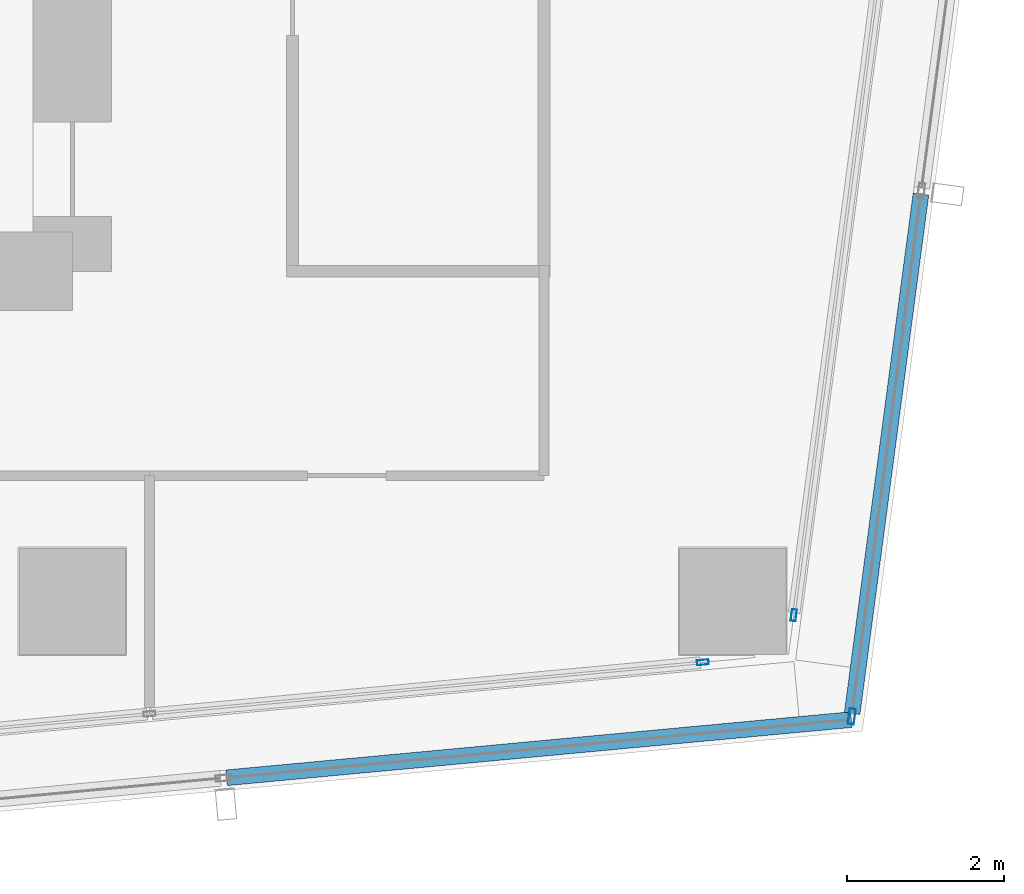
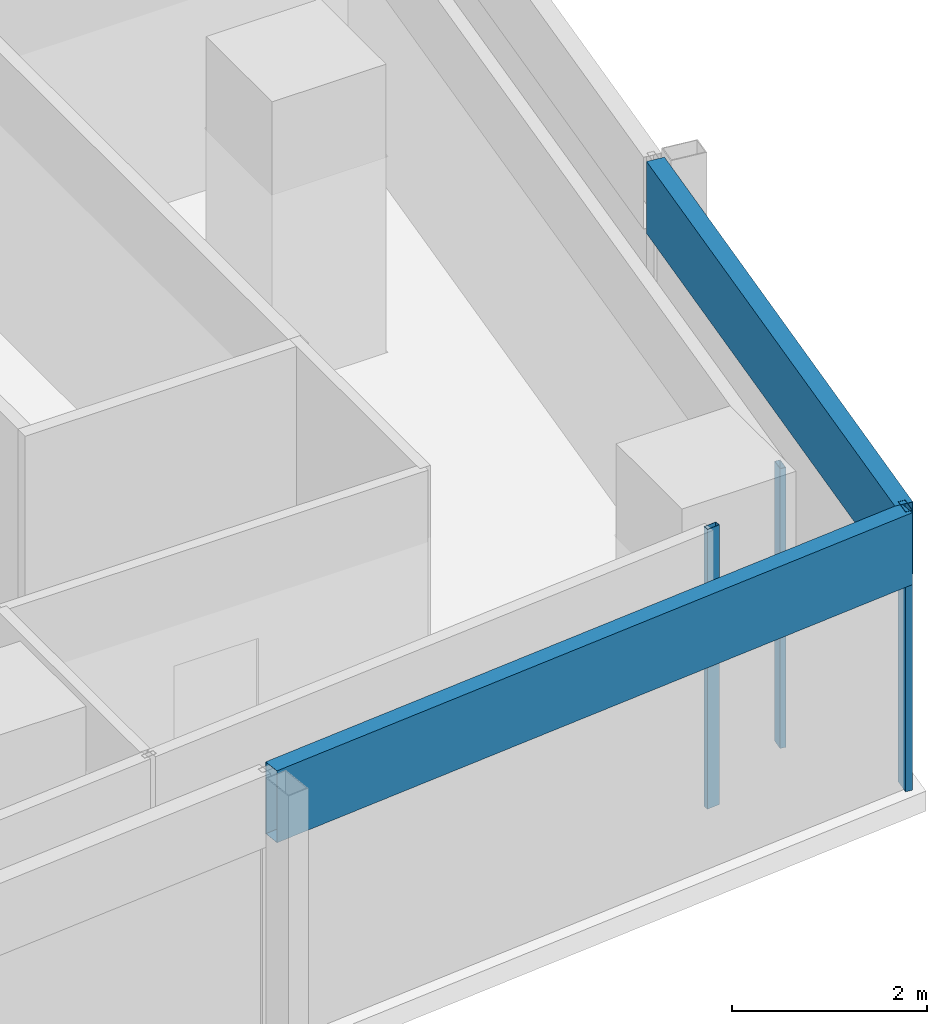
# One storey, part 12 of 39: 5 members, 4 elements without a shape of their own.
"""IFC4 building model written with IfcOpenShell, lengths in metres."""

from ifc_helpers import new_model, si_unit, direction, frame, origin, origin_2d, place, context, subcontext, project, spatial, hollow_rectangle, extrude, material, material_profile, profile_set, type_object, element, aggregate, save


model = new_model("IFC4")

# Units and contexts
model_context = context("Model", 3, precision=1e-05, world=origin(), true_north=direction((0.0, 1.0)))
body_context = subcontext(model_context, "Body", "Model", "MODEL_VIEW")
ifc_project = project(units=[si_unit("LENGTHUNIT", "METRE"), si_unit("AREAUNIT", "SQUARE_METRE"), si_unit("VOLUMEUNIT", "CUBIC_METRE"), si_unit("PLANEANGLEUNIT", "RADIAN"), si_unit("MASSUNIT", "GRAM", prefix="KILO")], contexts=[model_context])

# Site, building, storey
site_placement = place(None, origin())
site = spatial("IfcSite", under=ifc_project, at=site_placement, CompositionType="ELEMENT")
building_placement = place(site_placement, origin())
building = spatial("IfcBuilding", under=site, at=building_placement, Name="Rekha Terrace Tower", CompositionType="ELEMENT")
storey_placement = place(building_placement, frame((0.0, 0.0, 225.199951171875)))
storey = spatial("IfcBuildingStorey", under=building, at=storey_placement, Name="L57", CompositionType="ELEMENT", Elevation=225.199951171875)

# Curtain wall, member
ifc_material_1 = material(Name="Aluminium framing", Category="aluminium")
curtain_wall_type_1 = type_object("IfcCurtainWallType", Name="CW1 double skin inner glazing", PredefinedType="USERDEFINED", material=ifc_material_1)
curtain_wall_1_placement = place(storey_placement, origin())
curtain_wall_1 = element("IfcCurtainWall", 1, at=curtain_wall_1_placement, inside=storey, type_object=curtain_wall_type_1, Name="CW1 double skin inner glazing", ObjectType="DOUBLE SKIN INNER GLAZING", PredefinedType="USERDEFINED")
ifc_material_2 = material(Name="Aluminium mullion section", Category="aluminium")
ifc_material_profile_1 = material_profile(ifc_material_2, hollow_rectangle(XDim=0.06494140625, YDim=0.14990234375, WallThickness=0.00390625, at=origin_2d()), Name="AL RHS 65x150")
ifc_profile_set_1 = profile_set([ifc_material_profile_1], Name="Aluminium mullion section")
member_type_1 = type_object("IfcMemberType", Name="CW1 mullion RHS 65 x 150", PredefinedType="MULLION", material=ifc_profile_set_1)
member_1_placement = place(storey_placement, frame((58.419677734375, 16.025634765625, 0.0), z_axis=(0.0, 0.0, 1.0), x_axis=(-0.092708869564, 0.995693258742, 0.0)))
member_1 = element("IfcMember", 2, at=member_1_placement, type_object=member_type_1, Name="CW1 mullion 3", PredefinedType="MULLION", context=body_context, shape_type="SweptSolid", body=[
    extrude(hollow_rectangle(XDim=0.06494140625, YDim=0.14990234375, WallThickness=0.00390625, at=origin_2d()), origin(), (0.0, 0.0, 1.0), 3.5),
])
aggregate(curtain_wall_1, [member_1])

curtain_wall_2_placement = place(storey_placement, origin())
curtain_wall_2 = element("IfcCurtainWall", 3, at=curtain_wall_2_placement, inside=storey, type_object=curtain_wall_type_1, Name="CW1 double skin inner glazing", ObjectType="DOUBLE SKIN INNER GLAZING", PredefinedType="USERDEFINED")
member_2_placement = place(storey_placement, frame((59.576171875, 16.624755859375, 0.0), z_axis=(0.0, 0.0, 1.0), x_axis=(-0.991342203185, 0.131303603093, 0.0)))
member_2 = element("IfcMember", 4, at=member_2_placement, type_object=member_type_1, Name="CW1 mullion 1", PredefinedType="MULLION", context=body_context, shape_type="SweptSolid", body=[
    extrude(hollow_rectangle(XDim=0.06494140625, YDim=0.14990234375, WallThickness=0.00390625, at=origin_2d()), origin(), (0.0, 0.0, 1.0), 3.5),
])
aggregate(curtain_wall_2, [member_2])

curtain_wall_type_2 = type_object("IfcCurtainWallType", Name="CW2 double skin outer glazing", PredefinedType="USERDEFINED", material=ifc_material_1)
curtain_wall_3_placement = place(storey_placement, origin())
curtain_wall_3 = element("IfcCurtainWall", 5, at=curtain_wall_3_placement, inside=storey, type_object=curtain_wall_type_2, Name="CW2 double skin outer glazing", ObjectType="DOUBLE SKIN OUTER GLAZING", PredefinedType="USERDEFINED")
ifc_material_profile_2 = material_profile(ifc_material_2, hollow_rectangle(XDim=0.080078125, YDim=0.199951171875, WallThickness=0.00390625, at=origin_2d()), Name="AL RHS 80x200")
ifc_profile_set_2 = profile_set([ifc_material_profile_2], Name="Aluminium mullion section")
member_type_2 = type_object("IfcMemberType", Name="CW2 mullion RHS 80 x 200", PredefinedType="MULLION", material=ifc_profile_set_2)
member_3_placement = place(storey_placement, frame((60.3134765625, 15.337158203125, 0.0), z_axis=(0.0, 0.0, 1.0), x_axis=(-0.991342203187, 0.131303603075, 0.0)))
member_3 = element("IfcMember", 6, at=member_3_placement, type_object=member_type_2, Name="CW2 mullion 1", PredefinedType="MULLION", context=body_context, shape_type="SweptSolid", body=[
    extrude(hollow_rectangle(XDim=0.080078125, YDim=0.199951171875, WallThickness=0.00390625, at=origin_2d()), origin(), (0.0, 0.0, 1.0), 3.5),
])

curtain_wall_4_placement = place(storey_placement, origin())
curtain_wall_4 = element("IfcCurtainWall", 7, at=curtain_wall_4_placement, inside=storey, type_object=curtain_wall_type_2, Name="CW2 double skin outer glazing", ObjectType="DOUBLE SKIN OUTER GLAZING", PredefinedType="USERDEFINED")
ifc_material_3 = material(Name="Insulated aluminium spandrel box", Category="aluminium")
ifc_material_profile_3 = material_profile(ifc_material_3, hollow_rectangle(XDim=0.199951171875, YDim=0.89990234375, WallThickness=0.0029296875, at=origin_2d()), Name="AL SPANDREL BOX 200x900")
ifc_profile_set_3 = profile_set([ifc_material_profile_3], Name="Insulated aluminium spandrel box")
member_type_3 = type_object("IfcMemberType", Name="CW2 spandrel transom 200 x 900", PredefinedType="USERDEFINED", material=ifc_profile_set_3)
member_4_placement = place(storey_placement, frame((52.36181640625, 14.5576171875, 3.050048828125), z_axis=(0.99569478362, 0.092692490917, 0.0), x_axis=(-0.092692490917, 0.99569478362, 0.0)))
member_4 = element("IfcMember", 8, at=member_4_placement, type_object=member_type_3, Name="CW2 spandrel transom 2", ObjectType="TRANSOM", PredefinedType="USERDEFINED", context=body_context, shape_type="SweptSolid", body=[
    extrude(hollow_rectangle(XDim=0.199951171875, YDim=0.89990234375, WallThickness=0.0029296875, at=origin_2d()), origin(), (0.0, 0.0, 1.0), 7.980712890625),
])
aggregate(curtain_wall_4, [member_4])

# Member
member_5_placement = place(storey_placement, frame((60.318603515625, 15.376708984375, 3.050048828125), z_axis=(0.131318864981, 0.991340181623, 0.0), x_axis=(-0.991340181623, 0.131318864981, 0.0)))
member_5 = element("IfcMember", 9, at=member_5_placement, type_object=member_type_3, Name="CW2 spandrel transom 1", ObjectType="TRANSOM", PredefinedType="USERDEFINED", context=body_context, shape_type="SweptSolid", body=[
    extrude(hollow_rectangle(XDim=0.199951171875, YDim=0.89990234375, WallThickness=0.0029296875, at=origin_2d()), origin(), (0.0, 0.0, 1.0), 6.6630859375),
])

aggregate(curtain_wall_3, [member_3, member_5])

save(model, "model.ifc")
